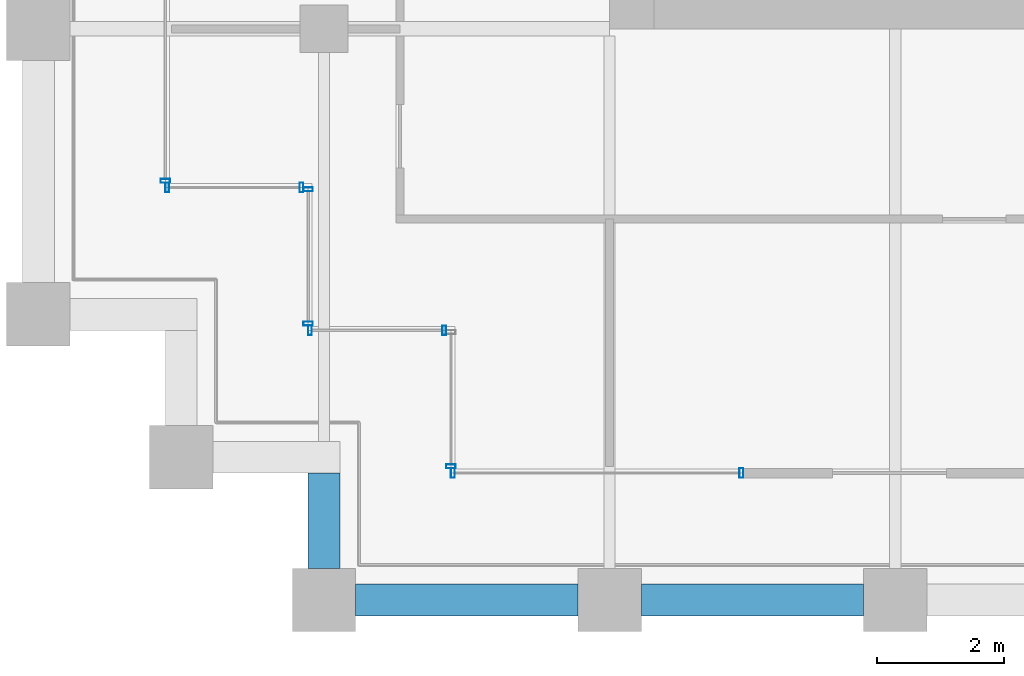
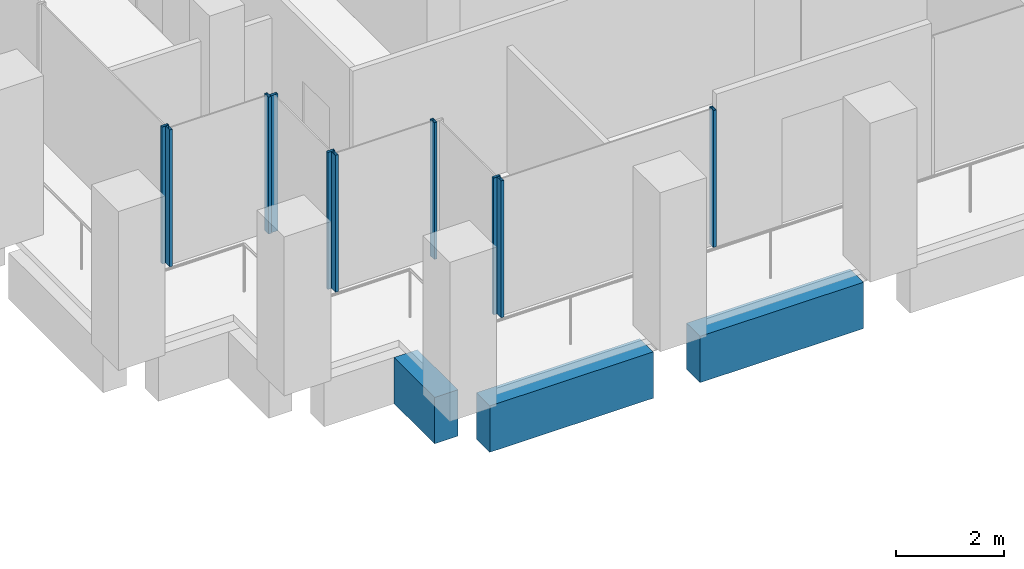
# One storey, part 28 of 46: 10 members, 3 beams, 6 elements without a shape of their own.
"""IFC4 building model written with IfcOpenShell, lengths in metres."""

from ifc_helpers import new_model, si_unit, direction, frame, origin, origin_2d, place, context, subcontext, project, spatial, rectangle, hollow_rectangle, extrude, material, material_profile, profile_set, type_object, element, aggregate, save


model = new_model("IFC4")

# Units and contexts
model_context = context("Model", 3, precision=1e-05, world=origin(), true_north=direction((0.0, 1.0)))
body_context = subcontext(model_context, "Body", "Model", "MODEL_VIEW")
ifc_project = project(units=[si_unit("LENGTHUNIT", "METRE"), si_unit("AREAUNIT", "SQUARE_METRE"), si_unit("VOLUMEUNIT", "CUBIC_METRE"), si_unit("PLANEANGLEUNIT", "RADIAN"), si_unit("MASSUNIT", "GRAM", prefix="KILO")], contexts=[model_context])

# Site, building, storey
site_placement = place(None, origin())
site = spatial("IfcSite", under=ifc_project, at=site_placement, CompositionType="ELEMENT")
building_placement = place(site_placement, origin())
building = spatial("IfcBuilding", under=site, at=building_placement, Name="Altepetl Exchange Towers", CompositionType="ELEMENT")
storey_placement = place(building_placement, frame((0.0, 0.0, 124.39990234375)))
storey = spatial("IfcBuildingStorey", under=building, at=storey_placement, Name="L30", CompositionType="ELEMENT", Elevation=124.39990234375)

# Curtain wall, member
ifc_material_1 = material(Name="Aluminium 6063-T6 glazing", Category="aluminium")
curtain_wall_type = type_object("IfcCurtainWallType", Name="Loggia glazing system", PredefinedType="NOTDEFINED", material=ifc_material_1)
curtain_wall_1_placement = place(storey_placement, origin())
curtain_wall_1 = element("IfcCurtainWall", 1, at=curtain_wall_1_placement, inside=storey, type_object=curtain_wall_type, Name="CW1 run", PredefinedType="NOTDEFINED")
ifc_material_2 = material(Name="Aluminium 6063-T6", Category="aluminium")
ifc_material_profile_1 = material_profile(ifc_material_2, hollow_rectangle(XDim=0.06005859375, YDim=0.14990234375, WallThickness=0.0029296875, at=origin_2d()), Name="Mullion 60x150 aluminium")
ifc_profile_set_1 = profile_set([ifc_material_profile_1], Name="Aluminium 6063-T6")
member_type = type_object("IfcMemberType", Name="Mullion 60x150 aluminium", PredefinedType="MULLION", material=ifc_profile_set_1)
member_1_placement = place(storey_placement, frame((96.5, 33.60498046875, 0.0), z_axis=(0.0, 0.0, 1.0), x_axis=(0.0, -1.0, 0.0)))
member_1 = element("IfcMember", 2, at=member_1_placement, type_object=member_type, Name="MU1 mullion", PredefinedType="MULLION", context=body_context, shape_type="SweptSolid", body=[
    extrude(hollow_rectangle(XDim=0.06005859375, YDim=0.14990234375, WallThickness=0.0029296875, at=origin_2d()), origin(), (0.0, 0.0, 1.0), 3.10009765625),
])
aggregate(curtain_wall_1, [member_1])

# Curtain wall, members
curtain_wall_2_placement = place(storey_placement, origin())
curtain_wall_2 = element("IfcCurtainWall", 3, at=curtain_wall_2_placement, inside=storey, type_object=curtain_wall_type, Name="CW1 run", PredefinedType="NOTDEFINED")
member_2_placement = place(storey_placement, frame((96.530029296875, 33.5, 0.0)))
member_2 = element("IfcMember", 4, at=member_2_placement, type_object=member_type, Name="MU1 mullion", PredefinedType="MULLION", context=body_context, shape_type="SweptSolid", body=[
    extrude(hollow_rectangle(XDim=0.06005859375, YDim=0.14990234375, WallThickness=0.0029296875, at=origin_2d()), origin(), (0.0, 0.0, 1.0), 3.10009765625),
])
member_3_placement = place(storey_placement, frame((98.64501953125, 33.5, 0.0)))
member_3 = element("IfcMember", 5, at=member_3_placement, type_object=member_type, Name="MU1 mullion", PredefinedType="MULLION", context=body_context, shape_type="SweptSolid", body=[
    extrude(hollow_rectangle(XDim=0.06005859375, YDim=0.14990234375, WallThickness=0.0029296875, at=origin_2d()), origin(), (0.0, 0.0, 1.0), 3.10009765625),
])
aggregate(curtain_wall_2, [member_2, member_3])

curtain_wall_3_placement = place(storey_placement, origin())
curtain_wall_3 = element("IfcCurtainWall", 6, at=curtain_wall_3_placement, inside=storey, type_object=curtain_wall_type, Name="CW1 run", PredefinedType="NOTDEFINED")
member_4_placement = place(storey_placement, frame((98.75, 33.469970703125, 0.0), z_axis=(0.0, 0.0, 1.0), x_axis=(0.0, -1.0, 0.0)))
member_4 = element("IfcMember", 7, at=member_4_placement, type_object=member_type, Name="MU1 mullion", PredefinedType="MULLION", context=body_context, shape_type="SweptSolid", body=[
    extrude(hollow_rectangle(XDim=0.06005859375, YDim=0.14990234375, WallThickness=0.0029296875, at=origin_2d()), origin(), (0.0, 0.0, 1.0), 3.10009765625),
])
member_5_placement = place(storey_placement, frame((98.75, 31.35498046875, 0.0), z_axis=(0.0, 0.0, 1.0), x_axis=(0.0, -1.0, 0.0)))
member_5 = element("IfcMember", 8, at=member_5_placement, type_object=member_type, Name="MU1 mullion", PredefinedType="MULLION", context=body_context, shape_type="SweptSolid", body=[
    extrude(hollow_rectangle(XDim=0.06005859375, YDim=0.14990234375, WallThickness=0.0029296875, at=origin_2d()), origin(), (0.0, 0.0, 1.0), 3.10009765625),
])
aggregate(curtain_wall_3, [member_4, member_5])

curtain_wall_4_placement = place(storey_placement, origin())
curtain_wall_4 = element("IfcCurtainWall", 9, at=curtain_wall_4_placement, inside=storey, type_object=curtain_wall_type, Name="CW1 run", PredefinedType="NOTDEFINED")
member_6_placement = place(storey_placement, frame((98.780029296875, 31.25, 0.0)))
member_6 = element("IfcMember", 10, at=member_6_placement, type_object=member_type, Name="MU1 mullion", PredefinedType="MULLION", context=body_context, shape_type="SweptSolid", body=[
    extrude(hollow_rectangle(XDim=0.06005859375, YDim=0.14990234375, WallThickness=0.0029296875, at=origin_2d()), origin(), (0.0, 0.0, 1.0), 3.10009765625),
])
member_7_placement = place(storey_placement, frame((100.89501953125, 31.25, 0.0)))
member_7 = element("IfcMember", 11, at=member_7_placement, type_object=member_type, Name="MU1 mullion", PredefinedType="MULLION", context=body_context, shape_type="SweptSolid", body=[
    extrude(hollow_rectangle(XDim=0.06005859375, YDim=0.14990234375, WallThickness=0.0029296875, at=origin_2d()), origin(), (0.0, 0.0, 1.0), 3.10009765625),
])
aggregate(curtain_wall_4, [member_6, member_7])

# Curtain wall, member
curtain_wall_5_placement = place(storey_placement, origin())
curtain_wall_5 = element("IfcCurtainWall", 12, at=curtain_wall_5_placement, inside=storey, type_object=curtain_wall_type, Name="CW1 run", PredefinedType="NOTDEFINED")
member_8_placement = place(storey_placement, frame((101.0, 29.10498046875, 0.0), z_axis=(0.0, 0.0, 1.0), x_axis=(0.0, -1.0, 0.0)))
member_8 = element("IfcMember", 13, at=member_8_placement, type_object=member_type, Name="MU1 mullion", PredefinedType="MULLION", context=body_context, shape_type="SweptSolid", body=[
    extrude(hollow_rectangle(XDim=0.06005859375, YDim=0.14990234375, WallThickness=0.0029296875, at=origin_2d()), origin(), (0.0, 0.0, 1.0), 3.10009765625),
])
aggregate(curtain_wall_5, [member_8])

# Curtain wall, members
curtain_wall_6_placement = place(storey_placement, origin())
curtain_wall_6 = element("IfcCurtainWall", 14, at=curtain_wall_6_placement, inside=storey, type_object=curtain_wall_type, Name="CW1 run", PredefinedType="NOTDEFINED")
member_9_placement = place(storey_placement, frame((101.030029296875, 29.0, 0.0)))
member_9 = element("IfcMember", 15, at=member_9_placement, type_object=member_type, Name="MU1 mullion", PredefinedType="MULLION", context=body_context, shape_type="SweptSolid", body=[
    extrude(hollow_rectangle(XDim=0.06005859375, YDim=0.14990234375, WallThickness=0.0029296875, at=origin_2d()), origin(), (0.0, 0.0, 1.0), 3.10009765625),
])
member_10_placement = place(storey_placement, frame((105.576171875, 29.0, 0.0)))
member_10 = element("IfcMember", 16, at=member_10_placement, type_object=member_type, Name="MU1 mullion", PredefinedType="MULLION", context=body_context, shape_type="SweptSolid", body=[
    extrude(hollow_rectangle(XDim=0.06005859375, YDim=0.14990234375, WallThickness=0.0029296875, at=origin_2d()), origin(), (0.0, 0.0, 1.0), 3.10009765625),
])
aggregate(curtain_wall_6, [member_9, member_10])

# Beams
ifc_material_3 = material(Name="Concrete C50/60 precast with tezontle facing", Category="concrete")
ifc_material_profile_2 = material_profile(ifc_material_3, rectangle(XDim=0.5, YDim=1.050048828125, at=origin_2d()), Name="500 x 1050")
ifc_profile_set_2 = profile_set([ifc_material_profile_2], Name="Concrete C50/60 precast with tezontle facing")
beam_type = type_object("IfcBeamType", Name="Spandrel beam 500x1050 tezontle", PredefinedType="SPANDREL", material=ifc_profile_set_2)
for number, where, z_axis, x_axis, name in (
    (17, (99.5, 27.0, -0.6748046875), (1.0, 0.0, 0.0), (0.0, 1.0, 0.0), "sp:B:L30:000"),
    (18, (104.0, 27.0, -0.6748046875), (1.0, 0.0, 0.0), (0.0, 1.0, 0.0), "sp:B:L30:001"),
):
    element("IfcBeam", number, at=place(storey_placement, frame(where, z_axis=z_axis, x_axis=x_axis)), inside=storey, type_object=beam_type, Name=name, PredefinedType="SPANDREL", context=body_context, shape_type="SweptSolid", body=[
        extrude(rectangle(XDim=0.5, YDim=1.050048828125, at=origin_2d()), origin(), (0.0, 0.0, 1.0), 3.5),
    ])
beam_placement = place(storey_placement, frame((99.0, 29.0, -0.6748046875), z_axis=(0.0, -1.0, 0.0), x_axis=(1.0, 0.0, 0.0)))
element("IfcBeam", 19, at=beam_placement, inside=storey, type_object=beam_type, Name="sp:B:L30:030", PredefinedType="SPANDREL", context=body_context, shape_type="SweptSolid", body=[
    extrude(rectangle(XDim=0.5, YDim=1.050048828125, at=origin_2d()), origin(), (0.0, 0.0, 1.0), 1.5),
])

save(model, "model.ifc")
